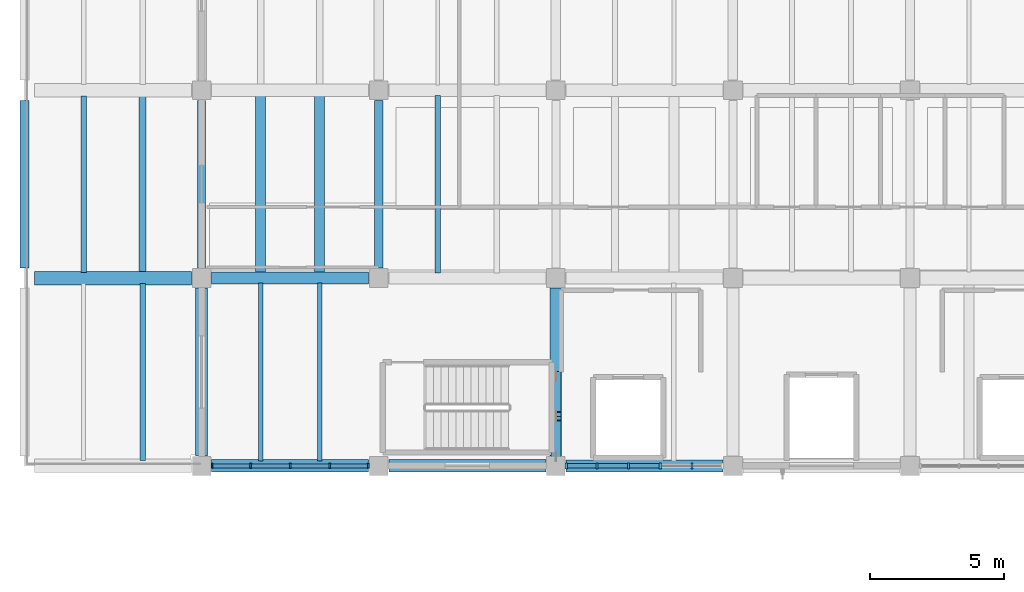
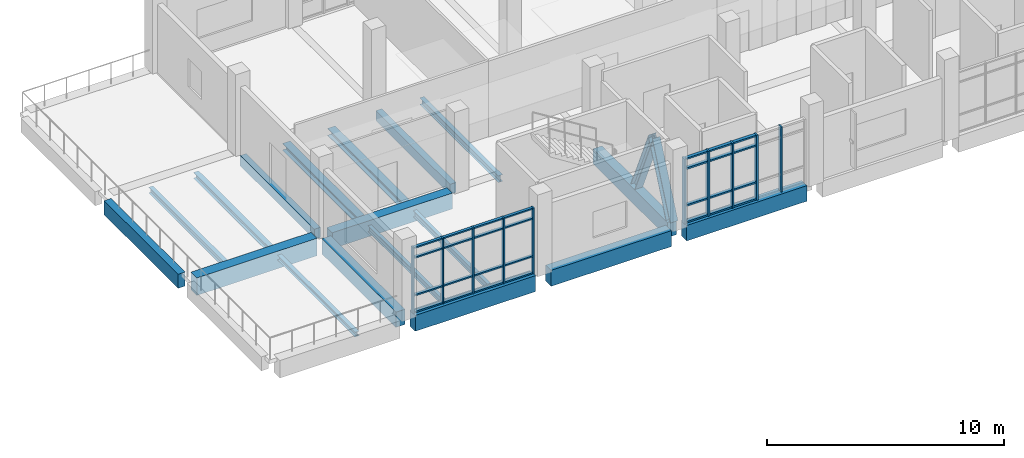
# One storey, part 3 of 20: 40 members, 18 beams, 2 elements without a shape of their own.
"""IFC4 building model written with IfcOpenShell, lengths in metres."""

from ifc_helpers import new_model, si_unit, direction, frame, origin, origin_2d, place, context, subcontext, project, spatial, rectangle, i_section, extrude, material, material_profile, profile_set, type_object, element, aggregate, save


model = new_model("IFC4")

# Units and contexts
model_context = context("Model", 3, precision=1e-05, world=origin(), true_north=direction((0.0, 1.0)))
body_context = subcontext(model_context, "Body", "Model", "MODEL_VIEW")
ifc_project = project(units=[si_unit("LENGTHUNIT", "METRE"), si_unit("AREAUNIT", "SQUARE_METRE"), si_unit("VOLUMEUNIT", "CUBIC_METRE"), si_unit("PLANEANGLEUNIT", "RADIAN"), si_unit("MASSUNIT", "GRAM", prefix="KILO")], contexts=[model_context])

# Site, building, storey
site_placement = place(None, origin())
site = spatial("IfcSite", under=ifc_project, at=site_placement, CompositionType="ELEMENT")
building_placement = place(site_placement, origin())
building = spatial("IfcBuilding", under=site, at=building_placement, Name="Ciguamira Faculty of Natural Sciences", CompositionType="ELEMENT")
storey_placement = place(building_placement, frame((0.0, 0.0, 21.0)))
storey = spatial("IfcBuildingStorey", under=building, at=storey_placement, Name="L05", CompositionType="ELEMENT", Elevation=21.0)

# Curtain wall, members
ifc_material_1 = material(Name="Anodized aluminium curtain wall", Category="aluminium")
curtain_wall_type_1 = type_object("IfcCurtainWallType", Name="CurtainWall_CW-02", PredefinedType="USERDEFINED", material=ifc_material_1)
curtain_wall_1_placement = place(storey_placement, origin())
curtain_wall_1 = element("IfcCurtainWall", 1, at=curtain_wall_1_placement, inside=storey, type_object=curtain_wall_type_1, Name="L05 unitised curtain wall 0134", ObjectType="UNITISED CURTAIN WALL", PredefinedType="USERDEFINED")
ifc_material_2 = material(Name="Anodized aluminium mullion", Category="aluminium")
ifc_material_profile_1 = material_profile(ifc_material_2, rectangle(XDim=0.070068359375, YDim=0.179931640625, at=origin_2d()), Name="ALU-MUL-70X180")
ifc_profile_set_1 = profile_set([ifc_material_profile_1], Name="Anodized aluminium mullion")
member_type_1 = type_object("IfcMemberType", Name="CWMullion_CWM-02", PredefinedType="MULLION", material=ifc_profile_set_1)
member_1_placement = place(storey_placement, frame((64.284912109375, 94.0, 0.0), z_axis=(0.0, 0.0, 1.0), x_axis=(1.0, 0.0, 0.0)))
member_1 = element("IfcMember", 2, at=member_1_placement, type_object=member_type_1, Name="CW-02 mullion 1", PredefinedType="MULLION", context=body_context, shape_type="SweptSolid", body=[
    extrude(rectangle(XDim=0.070068359375, YDim=0.179931640625, at=origin_2d()), origin(), (0.0, 0.0, 1.0), 3.385009765625),
])
member_2_placement = place(storey_placement, frame((65.72509765625, 94.0, 0.0), z_axis=(0.0, 0.0, 1.0), x_axis=(1.0, 0.0, 0.0)))
member_2 = element("IfcMember", 3, at=member_2_placement, type_object=member_type_1, Name="CW-02 mullion 2", PredefinedType="MULLION", context=body_context, shape_type="SweptSolid", body=[
    extrude(rectangle(XDim=0.070068359375, YDim=0.179931640625, at=origin_2d()), origin(), (0.0, 0.0, 1.0), 3.385009765625),
])
member_3_placement = place(storey_placement, frame((67.199951171875, 94.0, 0.0), z_axis=(0.0, 0.0, 1.0), x_axis=(1.0, 0.0, 0.0)))
member_3 = element("IfcMember", 4, at=member_3_placement, type_object=member_type_1, Name="CW-02 mullion 3", PredefinedType="MULLION", context=body_context, shape_type="SweptSolid", body=[
    extrude(rectangle(XDim=0.070068359375, YDim=0.179931640625, at=origin_2d()), origin(), (0.0, 0.0, 1.0), 3.385009765625),
])
member_4_placement = place(storey_placement, frame((68.675048828125, 94.0, 0.0), z_axis=(0.0, 0.0, 1.0), x_axis=(1.0, 0.0, 0.0)))
member_4 = element("IfcMember", 5, at=member_4_placement, type_object=member_type_1, Name="CW-02 mullion 4", PredefinedType="MULLION", context=body_context, shape_type="SweptSolid", body=[
    extrude(rectangle(XDim=0.070068359375, YDim=0.179931640625, at=origin_2d()), origin(), (0.0, 0.0, 1.0), 3.385009765625),
])
member_5_placement = place(storey_placement, frame((70.114990234375, 94.0, 0.0), z_axis=(0.0, 0.0, 1.0), x_axis=(1.0, 0.0, 0.0)))
member_5 = element("IfcMember", 6, at=member_5_placement, type_object=member_type_1, Name="CW-02 mullion 5", PredefinedType="MULLION", context=body_context, shape_type="SweptSolid", body=[
    extrude(rectangle(XDim=0.070068359375, YDim=0.179931640625, at=origin_2d()), origin(), (0.0, 0.0, 1.0), 3.385009765625),
])

curtain_wall_type_2 = type_object("IfcCurtainWallType", Name="CurtainWall_CW-03", PredefinedType="USERDEFINED", material=ifc_material_1)
curtain_wall_2_placement = place(storey_placement, origin())
curtain_wall_2 = element("IfcCurtainWall", 7, at=curtain_wall_2_placement, inside=storey, type_object=curtain_wall_type_2, Name="L05 unitised curtain wall 0135", ObjectType="UNITISED CURTAIN WALL", PredefinedType="USERDEFINED")
ifc_material_profile_2 = material_profile(ifc_material_2, rectangle(XDim=0.080078125, YDim=0.219970703125, at=origin_2d()), Name="ALU-MUL-80X220")
ifc_profile_set_2 = profile_set([ifc_material_profile_2], Name="Anodized aluminium mullion")
member_type_2 = type_object("IfcMemberType", Name="CWMullion_CWM-03", PredefinedType="MULLION", material=ifc_profile_set_2)
member_6_placement = place(storey_placement, frame((77.489990234375, 94.0, 0.0), z_axis=(0.0, 0.0, 1.0), x_axis=(1.0, 0.0, 0.0)))
member_6 = element("IfcMember", 8, at=member_6_placement, type_object=member_type_2, Name="CW-03 mullion 1", PredefinedType="MULLION", context=body_context, shape_type="SweptSolid", body=[
    extrude(rectangle(XDim=0.080078125, YDim=0.219970703125, at=origin_2d()), origin(), (0.0, 0.0, 1.0), 3.344970703125),
])
member_7_placement = place(storey_placement, frame((78.6298828125, 94.0, 0.0), z_axis=(0.0, 0.0, 1.0), x_axis=(1.0, 0.0, 0.0)))
member_7 = element("IfcMember", 9, at=member_7_placement, type_object=member_type_2, Name="CW-03 mullion 2", PredefinedType="MULLION", context=body_context, shape_type="SweptSolid", body=[
    extrude(rectangle(XDim=0.080078125, YDim=0.219970703125, at=origin_2d()), origin(), (0.0, 0.0, 1.0), 3.344970703125),
])
member_8_placement = place(storey_placement, frame((79.81005859375, 94.0, 0.0), z_axis=(0.0, 0.0, 1.0), x_axis=(1.0, 0.0, 0.0)))
member_8 = element("IfcMember", 10, at=member_8_placement, type_object=member_type_2, Name="CW-03 mullion 3", PredefinedType="MULLION", context=body_context, shape_type="SweptSolid", body=[
    extrude(rectangle(XDim=0.080078125, YDim=0.219970703125, at=origin_2d()), origin(), (0.0, 0.0, 1.0), 3.344970703125),
])
member_9_placement = place(storey_placement, frame((80.989990234375, 94.0, 0.0), z_axis=(0.0, 0.0, 1.0), x_axis=(1.0, 0.0, 0.0)))
member_9 = element("IfcMember", 11, at=member_9_placement, type_object=member_type_2, Name="CW-03 mullion 4", PredefinedType="MULLION", context=body_context, shape_type="SweptSolid", body=[
    extrude(rectangle(XDim=0.080078125, YDim=0.219970703125, at=origin_2d()), origin(), (0.0, 0.0, 1.0), 3.344970703125),
])
member_10_placement = place(storey_placement, frame((82.169921875, 94.0, 0.0), z_axis=(0.0, 0.0, 1.0), x_axis=(1.0, 0.0, 0.0)))
member_10 = element("IfcMember", 12, at=member_10_placement, type_object=member_type_2, Name="CW-03 mullion 5", PredefinedType="MULLION", context=body_context, shape_type="SweptSolid", body=[
    extrude(rectangle(XDim=0.080078125, YDim=0.219970703125, at=origin_2d()), origin(), (0.0, 0.0, 1.0), 3.344970703125),
])

# Member
ifc_material_3 = material(Name="Anodized aluminium transom", Category="aluminium")
ifc_material_profile_3 = material_profile(ifc_material_3, rectangle(XDim=0.070068359375, YDim=0.139892578125, at=origin_2d()), Name="ALU-TRN-70X140")
ifc_profile_set_3 = profile_set([ifc_material_profile_3], Name="Anodized aluminium transom")
member_type_3 = type_object("IfcMemberType", Name="CWTransom_CWT-02", PredefinedType="USERDEFINED", material=ifc_profile_set_3)
member_11_placement = place(storey_placement, frame((64.320068359375, 94.0, 0.034912109375), z_axis=(1.0, 0.0, 0.0), x_axis=(0.0, 0.0, 1.0)))
member_11 = element("IfcMember", 13, at=member_11_placement, type_object=member_type_3, Name="CW-02 transom 1.1", ObjectType="TRANSOM", PredefinedType="USERDEFINED", context=body_context, shape_type="SweptSolid", body=[
    extrude(rectangle(XDim=0.070068359375, YDim=0.139892578125, at=origin_2d()), origin(), (0.0, 0.0, 1.0), 1.369873046875),
])

member_12_placement = place(storey_placement, frame((64.320068359375, 94.0, 0.89990234375), z_axis=(1.0, 0.0, 0.0), x_axis=(0.0, 0.0, 1.0)))
member_12 = element("IfcMember", 14, at=member_12_placement, type_object=member_type_3, Name="CW-02 transom 1.2", ObjectType="TRANSOM", PredefinedType="USERDEFINED", context=body_context, shape_type="SweptSolid", body=[
    extrude(rectangle(XDim=0.070068359375, YDim=0.139892578125, at=origin_2d()), origin(), (0.0, 0.0, 1.0), 1.369873046875),
])

member_13_placement = place(storey_placement, frame((64.320068359375, 94.0, 2.8349609375), z_axis=(1.0, 0.0, 0.0), x_axis=(0.0, 0.0, 1.0)))
member_13 = element("IfcMember", 15, at=member_13_placement, type_object=member_type_3, Name="CW-02 transom 1.3", ObjectType="TRANSOM", PredefinedType="USERDEFINED", context=body_context, shape_type="SweptSolid", body=[
    extrude(rectangle(XDim=0.070068359375, YDim=0.139892578125, at=origin_2d()), origin(), (0.0, 0.0, 1.0), 1.369873046875),
])

member_14_placement = place(storey_placement, frame((64.320068359375, 94.0, 3.35009765625), z_axis=(1.0, 0.0, 0.0), x_axis=(0.0, 0.0, 1.0)))
member_14 = element("IfcMember", 16, at=member_14_placement, type_object=member_type_3, Name="CW-02 transom 1.4", ObjectType="TRANSOM", PredefinedType="USERDEFINED", context=body_context, shape_type="SweptSolid", body=[
    extrude(rectangle(XDim=0.070068359375, YDim=0.139892578125, at=origin_2d()), origin(), (0.0, 0.0, 1.0), 1.369873046875),
])

member_15_placement = place(storey_placement, frame((65.760009765625, 94.0, 0.034912109375), z_axis=(1.0, 0.0, 0.0), x_axis=(0.0, 0.0, 1.0)))
member_15 = element("IfcMember", 17, at=member_15_placement, type_object=member_type_3, Name="CW-02 transom 2.1", ObjectType="TRANSOM", PredefinedType="USERDEFINED", context=body_context, shape_type="SweptSolid", body=[
    extrude(rectangle(XDim=0.070068359375, YDim=0.139892578125, at=origin_2d()), origin(), (0.0, 0.0, 1.0), 1.405029296875),
])

member_16_placement = place(storey_placement, frame((65.760009765625, 94.0, 0.89990234375), z_axis=(1.0, 0.0, 0.0), x_axis=(0.0, 0.0, 1.0)))
member_16 = element("IfcMember", 18, at=member_16_placement, type_object=member_type_3, Name="CW-02 transom 2.2", ObjectType="TRANSOM", PredefinedType="USERDEFINED", context=body_context, shape_type="SweptSolid", body=[
    extrude(rectangle(XDim=0.070068359375, YDim=0.139892578125, at=origin_2d()), origin(), (0.0, 0.0, 1.0), 1.405029296875),
])

member_17_placement = place(storey_placement, frame((65.760009765625, 94.0, 2.8349609375), z_axis=(1.0, 0.0, 0.0), x_axis=(0.0, 0.0, 1.0)))
member_17 = element("IfcMember", 19, at=member_17_placement, type_object=member_type_3, Name="CW-02 transom 2.3", ObjectType="TRANSOM", PredefinedType="USERDEFINED", context=body_context, shape_type="SweptSolid", body=[
    extrude(rectangle(XDim=0.070068359375, YDim=0.139892578125, at=origin_2d()), origin(), (0.0, 0.0, 1.0), 1.405029296875),
])

member_18_placement = place(storey_placement, frame((65.760009765625, 94.0, 3.35009765625), z_axis=(1.0, 0.0, 0.0), x_axis=(0.0, 0.0, 1.0)))
member_18 = element("IfcMember", 20, at=member_18_placement, type_object=member_type_3, Name="CW-02 transom 2.4", ObjectType="TRANSOM", PredefinedType="USERDEFINED", context=body_context, shape_type="SweptSolid", body=[
    extrude(rectangle(XDim=0.070068359375, YDim=0.139892578125, at=origin_2d()), origin(), (0.0, 0.0, 1.0), 1.405029296875),
])

member_19_placement = place(storey_placement, frame((67.235107421875, 94.0, 0.034912109375), z_axis=(1.0, 0.0, 0.0), x_axis=(0.0, 0.0, 1.0)))
member_19 = element("IfcMember", 21, at=member_19_placement, type_object=member_type_3, Name="CW-02 transom 3.1", ObjectType="TRANSOM", PredefinedType="USERDEFINED", context=body_context, shape_type="SweptSolid", body=[
    extrude(rectangle(XDim=0.070068359375, YDim=0.139892578125, at=origin_2d()), origin(), (0.0, 0.0, 1.0), 1.40478515625),
])

member_20_placement = place(storey_placement, frame((67.235107421875, 94.0, 0.89990234375), z_axis=(1.0, 0.0, 0.0), x_axis=(0.0, 0.0, 1.0)))
member_20 = element("IfcMember", 22, at=member_20_placement, type_object=member_type_3, Name="CW-02 transom 3.2", ObjectType="TRANSOM", PredefinedType="USERDEFINED", context=body_context, shape_type="SweptSolid", body=[
    extrude(rectangle(XDim=0.070068359375, YDim=0.139892578125, at=origin_2d()), origin(), (0.0, 0.0, 1.0), 1.40478515625),
])

member_21_placement = place(storey_placement, frame((67.235107421875, 94.0, 2.8349609375), z_axis=(1.0, 0.0, 0.0), x_axis=(0.0, 0.0, 1.0)))
member_21 = element("IfcMember", 23, at=member_21_placement, type_object=member_type_3, Name="CW-02 transom 3.3", ObjectType="TRANSOM", PredefinedType="USERDEFINED", context=body_context, shape_type="SweptSolid", body=[
    extrude(rectangle(XDim=0.070068359375, YDim=0.139892578125, at=origin_2d()), origin(), (0.0, 0.0, 1.0), 1.40478515625),
])

member_22_placement = place(storey_placement, frame((67.235107421875, 94.0, 3.35009765625), z_axis=(1.0, 0.0, 0.0), x_axis=(0.0, 0.0, 1.0)))
member_22 = element("IfcMember", 24, at=member_22_placement, type_object=member_type_3, Name="CW-02 transom 3.4", ObjectType="TRANSOM", PredefinedType="USERDEFINED", context=body_context, shape_type="SweptSolid", body=[
    extrude(rectangle(XDim=0.070068359375, YDim=0.139892578125, at=origin_2d()), origin(), (0.0, 0.0, 1.0), 1.40478515625),
])

member_23_placement = place(storey_placement, frame((68.7099609375, 94.0, 0.034912109375), z_axis=(1.0, 0.0, 0.0), x_axis=(0.0, 0.0, 1.0)))
member_23 = element("IfcMember", 25, at=member_23_placement, type_object=member_type_3, Name="CW-02 transom 4.1", ObjectType="TRANSOM", PredefinedType="USERDEFINED", context=body_context, shape_type="SweptSolid", body=[
    extrude(rectangle(XDim=0.070068359375, YDim=0.139892578125, at=origin_2d()), origin(), (0.0, 0.0, 1.0), 1.3701171875),
])

member_24_placement = place(storey_placement, frame((68.7099609375, 94.0, 0.89990234375), z_axis=(1.0, 0.0, 0.0), x_axis=(0.0, 0.0, 1.0)))
member_24 = element("IfcMember", 26, at=member_24_placement, type_object=member_type_3, Name="CW-02 transom 4.2", ObjectType="TRANSOM", PredefinedType="USERDEFINED", context=body_context, shape_type="SweptSolid", body=[
    extrude(rectangle(XDim=0.070068359375, YDim=0.139892578125, at=origin_2d()), origin(), (0.0, 0.0, 1.0), 1.3701171875),
])

member_25_placement = place(storey_placement, frame((68.7099609375, 94.0, 2.8349609375), z_axis=(1.0, 0.0, 0.0), x_axis=(0.0, 0.0, 1.0)))
member_25 = element("IfcMember", 27, at=member_25_placement, type_object=member_type_3, Name="CW-02 transom 4.3", ObjectType="TRANSOM", PredefinedType="USERDEFINED", context=body_context, shape_type="SweptSolid", body=[
    extrude(rectangle(XDim=0.070068359375, YDim=0.139892578125, at=origin_2d()), origin(), (0.0, 0.0, 1.0), 1.3701171875),
])

member_26_placement = place(storey_placement, frame((68.7099609375, 94.0, 3.35009765625), z_axis=(1.0, 0.0, 0.0), x_axis=(0.0, 0.0, 1.0)))
member_26 = element("IfcMember", 28, at=member_26_placement, type_object=member_type_3, Name="CW-02 transom 4.4", ObjectType="TRANSOM", PredefinedType="USERDEFINED", context=body_context, shape_type="SweptSolid", body=[
    extrude(rectangle(XDim=0.070068359375, YDim=0.139892578125, at=origin_2d()), origin(), (0.0, 0.0, 1.0), 1.3701171875),
])

aggregate(curtain_wall_1, [member_1, member_2, member_3, member_4, member_5, member_11, member_12, member_13, member_14, member_15, member_16, member_17, member_18, member_19, member_20, member_21, member_22, member_23, member_24, member_25, member_26])

ifc_material_profile_4 = material_profile(ifc_material_3, rectangle(XDim=0.080078125, YDim=0.159912109375, at=origin_2d()), Name="ALU-TRN-80X160")
ifc_profile_set_4 = profile_set([ifc_material_profile_4], Name="Anodized aluminium transom")
member_type_4 = type_object("IfcMemberType", Name="CWTransom_CWT-03", PredefinedType="USERDEFINED", material=ifc_profile_set_4)
member_27_placement = place(storey_placement, frame((77.530029296875, 94.0, 0.0400390625), z_axis=(1.0, 0.0, 0.0), x_axis=(0.0, 0.0, 1.0)))
member_27 = element("IfcMember", 29, at=member_27_placement, type_object=member_type_4, Name="CW-03 transom 1.1", ObjectType="TRANSOM", PredefinedType="USERDEFINED", context=body_context, shape_type="SweptSolid", body=[
    extrude(rectangle(XDim=0.080078125, YDim=0.159912109375, at=origin_2d()), origin(), (0.0, 0.0, 1.0), 1.06005859375),
])

member_28_placement = place(storey_placement, frame((77.530029296875, 94.0, 0.89990234375), z_axis=(1.0, 0.0, 0.0), x_axis=(0.0, 0.0, 1.0)))
member_28 = element("IfcMember", 30, at=member_28_placement, type_object=member_type_4, Name="CW-03 transom 1.2", ObjectType="TRANSOM", PredefinedType="USERDEFINED", context=body_context, shape_type="SweptSolid", body=[
    extrude(rectangle(XDim=0.080078125, YDim=0.159912109375, at=origin_2d()), origin(), (0.0, 0.0, 1.0), 1.06005859375),
])

member_29_placement = place(storey_placement, frame((77.530029296875, 94.0, 2.794921875), z_axis=(1.0, 0.0, 0.0), x_axis=(0.0, 0.0, 1.0)))
member_29 = element("IfcMember", 31, at=member_29_placement, type_object=member_type_4, Name="CW-03 transom 1.3", ObjectType="TRANSOM", PredefinedType="USERDEFINED", context=body_context, shape_type="SweptSolid", body=[
    extrude(rectangle(XDim=0.080078125, YDim=0.159912109375, at=origin_2d()), origin(), (0.0, 0.0, 1.0), 1.06005859375),
])

member_30_placement = place(storey_placement, frame((77.530029296875, 94.0, 3.304931640625), z_axis=(1.0, 0.0, 0.0), x_axis=(0.0, 0.0, 1.0)))
member_30 = element("IfcMember", 32, at=member_30_placement, type_object=member_type_4, Name="CW-03 transom 1.4", ObjectType="TRANSOM", PredefinedType="USERDEFINED", context=body_context, shape_type="SweptSolid", body=[
    extrude(rectangle(XDim=0.080078125, YDim=0.159912109375, at=origin_2d()), origin(), (0.0, 0.0, 1.0), 1.06005859375),
])

member_31_placement = place(storey_placement, frame((78.669921875, 94.0, 0.0400390625), z_axis=(1.0, 0.0, 0.0), x_axis=(0.0, 0.0, 1.0)))
member_31 = element("IfcMember", 33, at=member_31_placement, type_object=member_type_4, Name="CW-03 transom 2.1", ObjectType="TRANSOM", PredefinedType="USERDEFINED", context=body_context, shape_type="SweptSolid", body=[
    extrude(rectangle(XDim=0.080078125, YDim=0.159912109375, at=origin_2d()), origin(), (0.0, 0.0, 1.0), 1.10009765625),
])

member_32_placement = place(storey_placement, frame((78.669921875, 94.0, 0.89990234375), z_axis=(1.0, 0.0, 0.0), x_axis=(0.0, 0.0, 1.0)))
member_32 = element("IfcMember", 34, at=member_32_placement, type_object=member_type_4, Name="CW-03 transom 2.2", ObjectType="TRANSOM", PredefinedType="USERDEFINED", context=body_context, shape_type="SweptSolid", body=[
    extrude(rectangle(XDim=0.080078125, YDim=0.159912109375, at=origin_2d()), origin(), (0.0, 0.0, 1.0), 1.10009765625),
])

member_33_placement = place(storey_placement, frame((78.669921875, 94.0, 2.794921875), z_axis=(1.0, 0.0, 0.0), x_axis=(0.0, 0.0, 1.0)))
member_33 = element("IfcMember", 35, at=member_33_placement, type_object=member_type_4, Name="CW-03 transom 2.3", ObjectType="TRANSOM", PredefinedType="USERDEFINED", context=body_context, shape_type="SweptSolid", body=[
    extrude(rectangle(XDim=0.080078125, YDim=0.159912109375, at=origin_2d()), origin(), (0.0, 0.0, 1.0), 1.10009765625),
])

member_34_placement = place(storey_placement, frame((78.669921875, 94.0, 3.304931640625), z_axis=(1.0, 0.0, 0.0), x_axis=(0.0, 0.0, 1.0)))
member_34 = element("IfcMember", 36, at=member_34_placement, type_object=member_type_4, Name="CW-03 transom 2.4", ObjectType="TRANSOM", PredefinedType="USERDEFINED", context=body_context, shape_type="SweptSolid", body=[
    extrude(rectangle(XDim=0.080078125, YDim=0.159912109375, at=origin_2d()), origin(), (0.0, 0.0, 1.0), 1.10009765625),
])

member_35_placement = place(storey_placement, frame((79.85009765625, 94.0, 0.0400390625), z_axis=(1.0, 0.0, 0.0), x_axis=(0.0, 0.0, 1.0)))
member_35 = element("IfcMember", 37, at=member_35_placement, type_object=member_type_4, Name="CW-03 transom 3.1", ObjectType="TRANSOM", PredefinedType="USERDEFINED", context=body_context, shape_type="SweptSolid", body=[
    extrude(rectangle(XDim=0.080078125, YDim=0.159912109375, at=origin_2d()), origin(), (0.0, 0.0, 1.0), 1.099853515625),
])

member_36_placement = place(storey_placement, frame((79.85009765625, 94.0, 0.89990234375), z_axis=(1.0, 0.0, 0.0), x_axis=(0.0, 0.0, 1.0)))
member_36 = element("IfcMember", 38, at=member_36_placement, type_object=member_type_4, Name="CW-03 transom 3.2", ObjectType="TRANSOM", PredefinedType="USERDEFINED", context=body_context, shape_type="SweptSolid", body=[
    extrude(rectangle(XDim=0.080078125, YDim=0.159912109375, at=origin_2d()), origin(), (0.0, 0.0, 1.0), 1.099853515625),
])

member_37_placement = place(storey_placement, frame((79.85009765625, 94.0, 2.794921875), z_axis=(1.0, 0.0, 0.0), x_axis=(0.0, 0.0, 1.0)))
member_37 = element("IfcMember", 39, at=member_37_placement, type_object=member_type_4, Name="CW-03 transom 3.3", ObjectType="TRANSOM", PredefinedType="USERDEFINED", context=body_context, shape_type="SweptSolid", body=[
    extrude(rectangle(XDim=0.080078125, YDim=0.159912109375, at=origin_2d()), origin(), (0.0, 0.0, 1.0), 1.099853515625),
])

member_38_placement = place(storey_placement, frame((79.85009765625, 94.0, 3.304931640625), z_axis=(1.0, 0.0, 0.0), x_axis=(0.0, 0.0, 1.0)))
member_38 = element("IfcMember", 40, at=member_38_placement, type_object=member_type_4, Name="CW-03 transom 3.4", ObjectType="TRANSOM", PredefinedType="USERDEFINED", context=body_context, shape_type="SweptSolid", body=[
    extrude(rectangle(XDim=0.080078125, YDim=0.159912109375, at=origin_2d()), origin(), (0.0, 0.0, 1.0), 1.099853515625),
])

aggregate(curtain_wall_2, [member_6, member_7, member_8, member_9, member_10, member_27, member_28, member_29, member_30, member_31, member_32, member_33, member_34, member_35, member_36, member_37, member_38])

# Beams
ifc_material_4 = material(Name="Concrete C40/50", Category="concrete")
ifc_material_profile_5 = material_profile(ifc_material_4, rectangle(XDim=0.5, YDim=0.89990234375, at=origin_2d()), Name="RC-BM-500X900")
ifc_profile_set_5 = profile_set([ifc_material_profile_5], Name="Concrete C40/50")
beam_type_1 = type_object("IfcBeamType", Name="RCBeam_BG-03_RC-BM-500X900", PredefinedType="BEAM", material=ifc_profile_set_5)
beam_1_placement = place(storey_placement, frame((57.675048828125, 101.0, -0.449951171875), z_axis=(1.0, 0.0, 0.0), x_axis=(0.0, 1.0, 0.0)))
element("IfcBeam", 41, at=beam_1_placement, inside=storey, type_object=beam_type_1, Name="L05 RC girder EW-1449", PredefinedType="BEAM", context=body_context, shape_type="SweptSolid", body=[
    extrude(rectangle(XDim=0.5, YDim=0.89990234375, at=origin_2d()), origin(), (0.0, 0.0, 1.0), 5.849853515625),
])
ifc_material_profile_6 = material_profile(ifc_material_4, rectangle(XDim=0.4599609375, YDim=0.820068359375, at=origin_2d()), Name="RC-BM-460X820")
ifc_profile_set_6 = profile_set([ifc_material_profile_6], Name="Concrete C40/50")
beam_type_2 = type_object("IfcBeamType", Name="RCBeam_BG-04_RC-BM-460X820", PredefinedType="BEAM", material=ifc_profile_set_6)
for number, where, z_axis, x_axis, name in (
    (42, (64.27490234375, 94.0, -0.409912109375), (1.0, 0.0, 0.0), (0.0, 1.0, 0.0), "L05 RC girder EW-1442"),
    (43, (70.875, 94.0, -0.409912109375), (1.0, 0.0, 0.0), (0.0, 1.0, 0.0), "L05 RC girder EW-1443"),
    (44, (64.27490234375, 101.0, -0.409912109375), (1.0, 0.0, 0.0), (0.0, 1.0, 0.0), "L05 RC girder EW-1450"),
):
    element("IfcBeam", number, at=place(storey_placement, frame(where, z_axis=z_axis, x_axis=x_axis)), inside=storey, type_object=beam_type_2, Name=name, PredefinedType="BEAM", context=body_context, shape_type="SweptSolid", body=[
        extrude(rectangle(XDim=0.4599609375, YDim=0.820068359375, at=origin_2d()), origin(), (0.0, 0.0, 1.0), 5.85009765625),
    ])
ifc_material_profile_7 = material_profile(ifc_material_4, rectangle(XDim=0.449951171875, YDim=0.800048828125, at=origin_2d()), Name="RC-BM-450X800")
ifc_profile_set_7 = profile_set([ifc_material_profile_7], Name="Concrete C40/50")
beam_type_3 = type_object("IfcBeamType", Name="RCBeam_BG-05_RC-BM-450X800", PredefinedType="BEAM", material=ifc_profile_set_7)
beam_2_placement = place(storey_placement, frame((77.47509765625, 94.0, -0.39990234375), z_axis=(1.0, 0.0, 0.0), x_axis=(0.0, 1.0, 0.0)))
element("IfcBeam", 45, at=beam_2_placement, inside=storey, type_object=beam_type_3, Name="L05 RC girder EW-1444", PredefinedType="BEAM", context=body_context, shape_type="SweptSolid", body=[
    extrude(rectangle(XDim=0.449951171875, YDim=0.800048828125, at=origin_2d()), origin(), (0.0, 0.0, 1.0), 5.849853515625),
])
ifc_material_profile_8 = material_profile(ifc_material_4, rectangle(XDim=0.43994140625, YDim=0.780029296875, at=origin_2d()), Name="RC-BM-440X780")
ifc_profile_set_8 = profile_set([ifc_material_profile_8], Name="Concrete C40/50")
beam_type_4 = type_object("IfcBeamType", Name="RCBeam_BG-06_RC-BM-440X780", PredefinedType="BEAM", material=ifc_profile_set_8)
for number, where, z_axis, x_axis, name in (
    (46, (63.89990234375, 94.375, -0.389892578125), (0.0, 1.0, 0.0), (-1.0, 0.0, 0.0), "L05 girder NS-1476"),
    (47, (77.10009765625, 94.375, -0.389892578125), (0.0, 1.0, 0.0), (-1.0, 0.0, 0.0), "L05 core-end brace tie girder 77"),
):
    element("IfcBeam", number, at=place(storey_placement, frame(where, z_axis=z_axis, x_axis=x_axis)), inside=storey, type_object=beam_type_4, Name=name, PredefinedType="BEAM", context=body_context, shape_type="SweptSolid", body=[
        extrude(rectangle(XDim=0.43994140625, YDim=0.780029296875, at=origin_2d()), origin(), (0.0, 0.0, 1.0), 6.25),
    ])
ifc_material_profile_9 = material_profile(ifc_material_4, rectangle(XDim=0.300048828125, YDim=0.52001953125, at=origin_2d()), Name="RC-BM-300X520")
ifc_profile_set_9 = profile_set([ifc_material_profile_9], Name="Concrete C40/50")
beam_type_5 = type_object("IfcBeamType", Name="RCBeam_BG-13_RC-BM-300X520", PredefinedType="BEAM", material=ifc_profile_set_9)
for number, where, z_axis, x_axis, name in (
    (48, (63.89990234375, 101.375, -0.260009765625), (0.0, 1.0, 0.0), (-1.0, 0.0, 0.0), "L05 girder NS-1477"),
    (49, (70.5, 101.375, -0.260009765625), (0.0, 1.0, 0.0), (-1.0, 0.0, 0.0), "L05 girder NS-1479"),
):
    element("IfcBeam", number, at=place(storey_placement, frame(where, z_axis=z_axis, x_axis=x_axis)), inside=storey, type_object=beam_type_5, Name=name, PredefinedType="BEAM", context=body_context, shape_type="SweptSolid", body=[
        extrude(rectangle(XDim=0.300048828125, YDim=0.52001953125, at=origin_2d()), origin(), (0.0, 0.0, 1.0), 6.25),
    ])
ifc_material_5 = material(Name="Precast concrete C40/50", Category="concrete")
ifc_material_profile_10 = material_profile(ifc_material_5, rectangle(XDim=0.340087890625, YDim=0.719970703125, at=origin_2d()), Name="RC-SP-340X720")
ifc_profile_set_10 = profile_set([ifc_material_profile_10], Name="Precast concrete C40/50")
beam_type_6 = type_object("IfcBeamType", Name="RCBeam_SP-03_RC-SP-340X720", PredefinedType="SPANDREL", material=ifc_profile_set_10)
beam_3_placement = place(storey_placement, frame((57.300048828125, 101.375, -0.360107421875), z_axis=(0.0, 1.0, 0.0), x_axis=(-1.0, 0.0, 0.0)))
element("IfcBeam", 50, at=beam_3_placement, inside=storey, type_object=beam_type_6, Name="L05 girder NS-1474", PredefinedType="SPANDREL", context=body_context, shape_type="SweptSolid", body=[
    extrude(rectangle(XDim=0.340087890625, YDim=0.719970703125, at=origin_2d()), origin(), (0.0, 0.0, 1.0), 6.25),
])
ifc_material_6 = material(Name="Steel ASTM A992 Grade 50", Category="steel")
ifc_material_profile_11 = material_profile(ifc_material_6, i_section(OverallWidth=0.2021484375, OverallDepth=0.2470703125, WebThickness=0.00732421875, FlangeThickness=0.010986328125, at=origin_2d()), Name="W10X33")
ifc_profile_set_11 = profile_set([ifc_material_profile_11], Name="Steel ASTM A992 Grade 50")
beam_type_7 = type_object("IfcBeamType", Name="SteelJoist_SJ-02_W10X33", PredefinedType="JOIST", material=ifc_profile_set_11)
beam_4_placement = place(storey_placement, frame((61.699951171875, 94.2099609375, -0.323486328125), z_axis=(0.0, 1.0, 0.0), x_axis=(-1.0, 0.0, 0.0)))
element("IfcBeam", 51, at=beam_4_placement, inside=storey, type_object=beam_type_7, Name="L05 composite steel joist 01343", PredefinedType="JOIST", context=body_context, shape_type="SweptSolid", body=[
    extrude(i_section(OverallWidth=0.2021484375, OverallDepth=0.2470703125, WebThickness=0.00732421875, FlangeThickness=0.010986328125, at=origin_2d()), origin(), (0.0, 0.0, 1.0), 6.580078125),
])
ifc_material_profile_12 = material_profile(ifc_material_6, i_section(OverallWidth=0.164794921875, OverallDepth=0.309814453125, WebThickness=0.005859375, FlangeThickness=0.009765625, at=origin_2d()), Name="W12X26")
ifc_profile_set_12 = profile_set([ifc_material_profile_12], Name="Steel ASTM A992 Grade 50")
beam_type_8 = type_object("IfcBeamType", Name="SteelJoist_SJ-04_W12X26", PredefinedType="JOIST", material=ifc_profile_set_12)
beam_5_placement = place(storey_placement, frame((66.10009765625, 94.18994140625, -0.39501953125), z_axis=(0.0, 1.0, 0.0), x_axis=(-1.0, 0.0, 0.0)))
element("IfcBeam", 52, at=beam_5_placement, inside=storey, type_object=beam_type_8, Name="L05 composite steel joist 01348", PredefinedType="JOIST", context=body_context, shape_type="SweptSolid", body=[
    extrude(i_section(OverallWidth=0.164794921875, OverallDepth=0.309814453125, WebThickness=0.005859375, FlangeThickness=0.009765625, at=origin_2d()), origin(), (0.0, 0.0, 1.0), 6.6201171875),
])
ifc_material_profile_13 = material_profile(ifc_material_6, i_section(OverallWidth=0.16650390625, OverallDepth=0.3173828125, WebThickness=0.007568359375, FlangeThickness=0.01318359375, at=origin_2d()), Name="W12X35")
ifc_profile_set_13 = profile_set([ifc_material_profile_13], Name="Steel ASTM A992 Grade 50")
beam_type_9 = type_object("IfcBeamType", Name="SteelJoist_SJ-05_W12X35", PredefinedType="JOIST", material=ifc_profile_set_13)
beam_6_placement = place(storey_placement, frame((68.300048828125, 94.18994140625, -0.398681640625), z_axis=(0.0, 1.0, 0.0), x_axis=(-1.0, 0.0, 0.0)))
element("IfcBeam", 53, at=beam_6_placement, inside=storey, type_object=beam_type_9, Name="L05 composite steel joist 01349", PredefinedType="JOIST", context=body_context, shape_type="SweptSolid", body=[
    extrude(i_section(OverallWidth=0.16650390625, OverallDepth=0.3173828125, WebThickness=0.007568359375, FlangeThickness=0.01318359375, at=origin_2d()), origin(), (0.0, 0.0, 1.0), 6.6201171875),
])
ifc_material_profile_14 = material_profile(ifc_material_6, i_section(OverallWidth=0.20458984375, OverallDepth=0.307373046875, WebThickness=0.008544921875, FlangeThickness=0.0146484375, at=origin_2d()), Name="W12X45")
ifc_profile_set_14 = profile_set([ifc_material_profile_14], Name="Steel ASTM A992 Grade 50")
beam_type_10 = type_object("IfcBeamType", Name="SteelJoist_SJ-06_W12X45", PredefinedType="JOIST", material=ifc_profile_set_14)
beam_7_placement = place(storey_placement, frame((59.5, 101.2099609375, -0.353759765625), z_axis=(0.0, 1.0, 0.0), x_axis=(-1.0, 0.0, 0.0)))
element("IfcBeam", 54, at=beam_7_placement, inside=storey, type_object=beam_type_10, Name="L05 composite steel joist 01344", PredefinedType="JOIST", context=body_context, shape_type="SweptSolid", body=[
    extrude(i_section(OverallWidth=0.20458984375, OverallDepth=0.307373046875, WebThickness=0.008544921875, FlangeThickness=0.0146484375, at=origin_2d()), origin(), (0.0, 0.0, 1.0), 6.580078125),
])
ifc_material_profile_15 = material_profile(ifc_material_6, i_section(OverallWidth=0.25390625, OverallDepth=0.307373046875, WebThickness=0.0087890625, FlangeThickness=0.0146484375, at=origin_2d()), Name="W12X53")
ifc_profile_set_15 = profile_set([ifc_material_profile_15], Name="Steel ASTM A992 Grade 50")
beam_type_11 = type_object("IfcBeamType", Name="SteelJoist_SJ-07_W12X53", PredefinedType="JOIST", material=ifc_profile_set_15)
beam_8_placement = place(storey_placement, frame((61.699951171875, 101.2099609375, -0.353759765625), z_axis=(0.0, 1.0, 0.0), x_axis=(-1.0, 0.0, 0.0)))
element("IfcBeam", 55, at=beam_8_placement, inside=storey, type_object=beam_type_11, Name="L05 composite steel joist 01345", PredefinedType="JOIST", context=body_context, shape_type="SweptSolid", body=[
    extrude(i_section(OverallWidth=0.25390625, OverallDepth=0.307373046875, WebThickness=0.0087890625, FlangeThickness=0.0146484375, at=origin_2d()), origin(), (0.0, 0.0, 1.0), 6.580078125),
])
ifc_material_profile_16 = material_profile(ifc_material_6, i_section(OverallWidth=0.370849609375, OverallDepth=0.36328125, WebThickness=0.013427734375, FlangeThickness=0.021728515625, at=origin_2d()), Name="W14X109")
ifc_profile_set_16 = profile_set([ifc_material_profile_16], Name="Steel ASTM A992 Grade 50")
beam_type_12 = type_object("IfcBeamType", Name="SteelJoist_SJ-09_W14X109", PredefinedType="JOIST", material=ifc_profile_set_16)
beam_9_placement = place(storey_placement, frame((66.10009765625, 101.18994140625, -0.421630859375), z_axis=(0.0, 1.0, 0.0), x_axis=(-1.0, 0.0, 0.0)))
element("IfcBeam", 56, at=beam_9_placement, inside=storey, type_object=beam_type_12, Name="L05 composite steel joist 01350", PredefinedType="JOIST", context=body_context, shape_type="SweptSolid", body=[
    extrude(i_section(OverallWidth=0.370849609375, OverallDepth=0.36328125, WebThickness=0.013427734375, FlangeThickness=0.021728515625, at=origin_2d()), origin(), (0.0, 0.0, 1.0), 6.6201171875),
])
ifc_material_profile_17 = material_profile(ifc_material_6, i_section(OverallWidth=0.373291015625, OverallDepth=0.373291015625, WebThickness=0.016357421875, FlangeThickness=0.026123046875, at=origin_2d()), Name="W14X132")
ifc_profile_set_17 = profile_set([ifc_material_profile_17], Name="Steel ASTM A992 Grade 50")
beam_type_13 = type_object("IfcBeamType", Name="SteelJoist_SJ-10_W14X132", PredefinedType="JOIST", material=ifc_profile_set_17)
beam_10_placement = place(storey_placement, frame((68.300048828125, 101.18994140625, -0.4267578125), z_axis=(0.0, 1.0, 0.0), x_axis=(-1.0, 0.0, 0.0)))
element("IfcBeam", 57, at=beam_10_placement, inside=storey, type_object=beam_type_13, Name="L05 composite steel joist 01351", PredefinedType="JOIST", context=body_context, shape_type="SweptSolid", body=[
    extrude(i_section(OverallWidth=0.373291015625, OverallDepth=0.373291015625, WebThickness=0.016357421875, FlangeThickness=0.026123046875, at=origin_2d()), origin(), (0.0, 0.0, 1.0), 6.6201171875),
])
ifc_material_profile_18 = material_profile(ifc_material_6, i_section(OverallWidth=0.203125, OverallDepth=0.347900390625, WebThickness=0.0078125, FlangeThickness=0.013427734375, at=origin_2d()), Name="W14X43")
ifc_profile_set_18 = profile_set([ifc_material_profile_18], Name="Steel ASTM A992 Grade 50")
beam_type_14 = type_object("IfcBeamType", Name="SteelJoist_SJ-12_W14X43", PredefinedType="JOIST", material=ifc_profile_set_18)
beam_11_placement = place(storey_placement, frame((72.699951171875, 101.18994140625, -0.4140625), z_axis=(0.0, 1.0, 0.0), x_axis=(-1.0, 0.0, 0.0)))
element("IfcBeam", 58, at=beam_11_placement, inside=storey, type_object=beam_type_14, Name="L05 composite steel joist 01354", PredefinedType="JOIST", context=body_context, shape_type="SweptSolid", body=[
    extrude(i_section(OverallWidth=0.203125, OverallDepth=0.347900390625, WebThickness=0.0078125, FlangeThickness=0.013427734375, at=origin_2d()), origin(), (0.0, 0.0, 1.0), 6.6201171875),
])

# Members
ifc_material_profile_19 = material_profile(ifc_material_6, i_section(OverallWidth=0.373291015625, OverallDepth=0.373291015625, WebThickness=0.016357421875, FlangeThickness=0.026123046875, at=origin_2d()), Name="W14X132")
ifc_profile_set_19 = profile_set([ifc_material_profile_19], Name="Steel ASTM A992 Grade 50")
member_type_5 = type_object("IfcMemberType", Name="SteelMember_BR-03_W14X132", PredefinedType="BRACE", material=ifc_profile_set_19)
for number, where, z_axis, x_axis, name in (
    (59, (77.10009765625, 94.35009765625, 0.0), (0.0, 0.401669190317, 0.915784833653), (-1.0, 0.0, 0.0), "L05 lateral chevron brace 025"),
    (60, (77.10009765625, 97.35009765625, 0.0), (0.0, -0.401669190317, 0.915784833653), (1.0, 0.0, 0.0), "L05 lateral chevron brace 026"),
):
    element("IfcMember", number, at=place(storey_placement, frame(where, z_axis=z_axis, x_axis=x_axis)), inside=storey, type_object=member_type_5, Name=name, PredefinedType="BRACE", context=body_context, shape_type="SweptSolid", body=[
        extrude(i_section(OverallWidth=0.373291015625, OverallDepth=0.373291015625, WebThickness=0.016357421875, FlangeThickness=0.026123046875, at=origin_2d()), origin(), (0.0, 0.0, 1.0), 3.734375),
    ])

save(model, "model.ifc")
